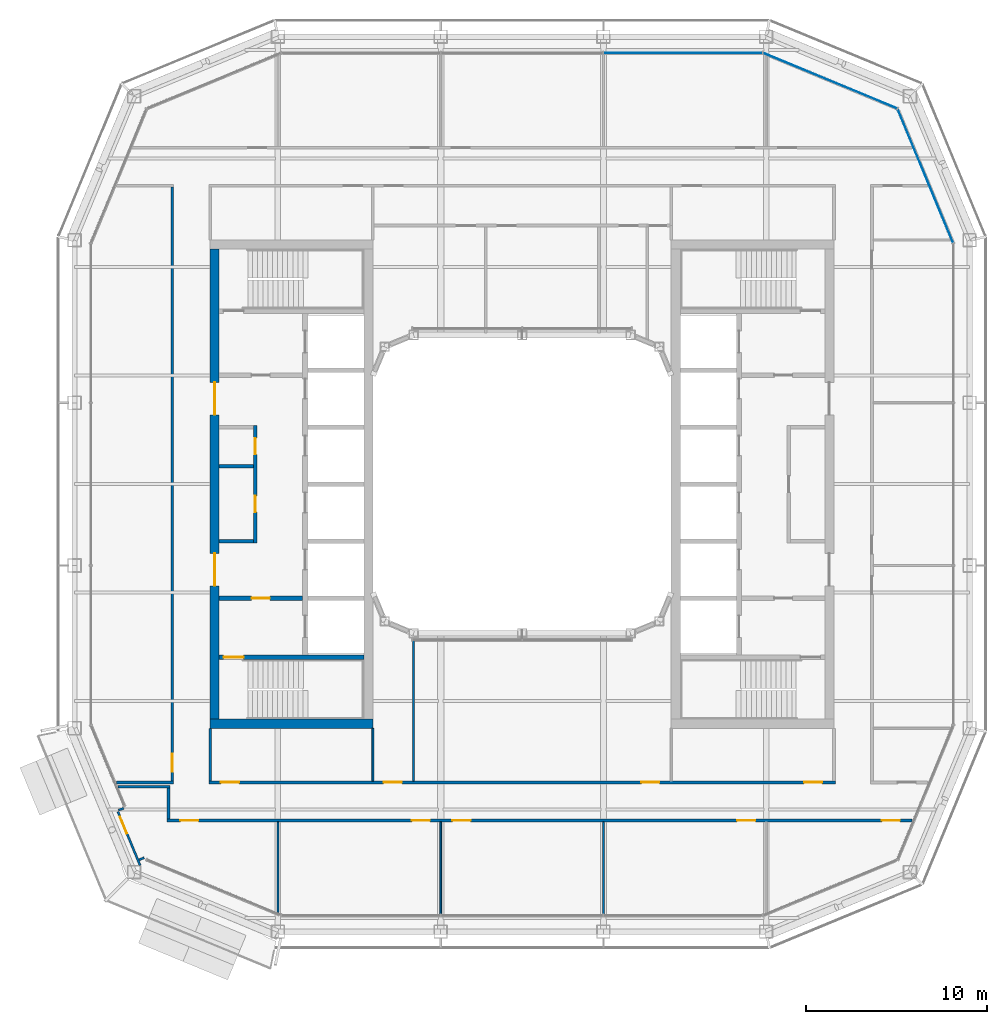
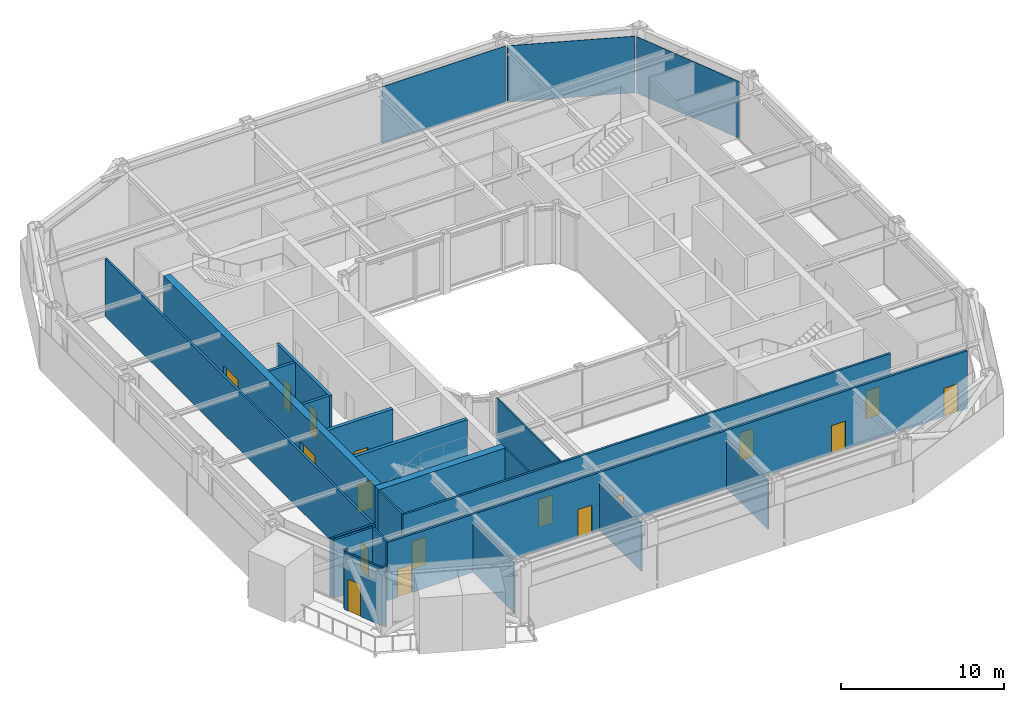
# One storey, part 10 of 20: 22 walls, 17 doors, 3 plates, 17 openings, 3 elements without a shape of their own.
"""IFC4 building model written with IfcOpenShell, lengths in metres."""

from ifc_helpers import new_model, si_unit, direction, frame, frame_2d, origin, origin_2d, place, context, subcontext, project, spatial, rectangle, extrude, material, layer, layer_set, type_object, element, fill, aggregate, save


model = new_model("IFC4")

# Units and contexts
model_context = context("Model", 3, precision=1e-05, world=origin(), true_north=direction((0.0, 1.0)))
body_context = subcontext(model_context, "Body", "Model", "MODEL_VIEW")
ifc_project = project(units=[si_unit("LENGTHUNIT", "METRE"), si_unit("AREAUNIT", "SQUARE_METRE"), si_unit("VOLUMEUNIT", "CUBIC_METRE"), si_unit("PLANEANGLEUNIT", "RADIAN"), si_unit("MASSUNIT", "GRAM", prefix="KILO")], contexts=[model_context])

# Site, building, storey
site_placement = place(None, origin())
site = spatial("IfcSite", under=ifc_project, at=site_placement, CompositionType="ELEMENT")
building_placement = place(site_placement, origin())
building = spatial("IfcBuilding", under=site, at=building_placement, Name="Siwar Civic Tower", CompositionType="ELEMENT")
storey_placement = place(building_placement, frame((0.0, 0.0, 298.699951171875)))
storey = spatial("IfcBuildingStorey", under=building, at=storey_placement, Name="L64", CompositionType="ELEMENT", Elevation=298.699951171875)

# Curtain wall, plate
ifc_material_1 = material(Name="Aluminium and glass", Category="aluminium")
ifc_layer_1 = layer(ifc_material_1, 0.159912109375)
ifc_layer_set_1 = layer_set([ifc_layer_1], Name="Aluminium and glass")
curtain_wall_type_1 = type_object("IfcCurtainWallType", Name="ENV-CW-D", PredefinedType="NOTDEFINED", material=ifc_layer_set_1)
curtain_wall_1_placement = place(storey_placement, origin())
curtain_wall_1 = element("IfcCurtainWall", 1, at=curtain_wall_1_placement, inside=storey, type_object=curtain_wall_type_1, Name="Curtain wall D N", PredefinedType="NOTDEFINED")
ifc_material_2 = material(Name="Glass clear laminated", Category="glass")
ifc_layer_2 = layer(ifc_material_2, 0.030029296875)
ifc_layer_set_2 = layer_set([ifc_layer_2], Name="Glass clear laminated")
plate_type_1 = type_object("IfcPlateType", Name="ENV-PANEL-D", PredefinedType="CURTAIN_PANEL", material=ifc_layer_set_2)
plate_1_placement = place(storey_placement, frame((8.910400390625, 23.85009765625, 0.10009765625), z_axis=(0.0, 0.0, 1.0), x_axis=(-1.0, 0.0, 0.0)))
plate_1 = element("IfcPlate", 2, at=plate_1_placement, type_object=plate_type_1, Name="Curtain panel D N 1", PredefinedType="CURTAIN_PANEL", context=body_context, shape_type="SweptSolid", body=[
    extrude(rectangle(XDim=8.760986328125, YDim=0.030029296875, at=origin_2d()), origin(), (0.0, 0.0, 1.0), 4.25),
])
aggregate(curtain_wall_1, [plate_1])

ifc_material_3 = material(Name="Aluminium clad insulated panel", Category="aluminium")
ifc_layer_3 = layer(ifc_material_3, 0.159912109375)
ifc_layer_set_3 = layer_set([ifc_layer_3], Name="Aluminium clad insulated panel")
curtain_wall_type_2 = type_object("IfcCurtainWallType", Name="ENV-CW-DX", PredefinedType="NOTDEFINED", material=ifc_layer_set_3)
curtain_wall_2_placement = place(storey_placement, origin())
curtain_wall_2 = element("IfcCurtainWall", 3, at=curtain_wall_2_placement, inside=storey, type_object=curtain_wall_type_2, Name="Curtain wall D NE1", PredefinedType="NOTDEFINED")
ifc_material_4 = material(Name="Aluminium clad insulated panel", Category="aluminium")
ifc_layer_4 = layer(ifc_material_4, 0.030029296875)
ifc_layer_set_4 = layer_set([ifc_layer_4], Name="Aluminium clad insulated panel")
plate_type_2 = type_object("IfcPlateType", Name="ENV-PANEL-DX", PredefinedType="CURTAIN_PANEL", material=ifc_layer_set_4)
plate_2_placement = place(storey_placement, frame((22.321044921875, 17.01220703125, 0.10009765625), z_axis=(0.0, 0.0, 1.0), x_axis=(-0.382683432365, 0.923879532511, 0.0)))
plate_2 = element("IfcPlate", 4, at=plate_2_placement, type_object=plate_type_2, Name="Curtain panel D NE1 1", PredefinedType="CURTAIN_PANEL", context=body_context, shape_type="SweptSolid", body=[
    extrude(rectangle(XDim=7.9306640625, YDim=0.030029296875, at=origin_2d()), origin(), (0.0, 0.0, 1.0), 4.25),
])
aggregate(curtain_wall_2, [plate_2])

curtain_wall_3_placement = place(storey_placement, origin())
curtain_wall_3 = element("IfcCurtainWall", 5, at=curtain_wall_3_placement, inside=storey, type_object=curtain_wall_type_2, Name="Curtain wall D NE2", PredefinedType="NOTDEFINED")
plate_3_placement = place(storey_placement, frame((17.074951171875, 22.295166015625, 0.10009765625), z_axis=(0.0, 0.0, 1.0), x_axis=(-0.923879532511, 0.382683432365, 0.0)))
plate_3 = element("IfcPlate", 6, at=plate_3_placement, type_object=plate_type_2, Name="Curtain panel D NE2 1", PredefinedType="CURTAIN_PANEL", context=body_context, shape_type="SweptSolid", body=[
    extrude(rectangle(XDim=7.9306640625, YDim=0.030029296875, at=origin_2d()), origin(), (0.0, 0.0, 1.0), 4.25),
])
aggregate(curtain_wall_3, [plate_3])

# Wall, openings, doors
ifc_material_5 = material(Name="Gypsum board on steel studs", Category="steel")
ifc_layer_5 = layer(ifc_material_5, 0.199951171875)
ifc_layer_set_5 = layer_set([ifc_layer_5], Name="Gypsum board on steel studs")
wall_type_1 = type_object("IfcWallType", Name="CORE-PARTITION-200", PredefinedType="PARTITIONING", material=ifc_layer_set_5)
wall_1_placement = place(storey_placement, frame((-14.75, -3.25, 0.0), z_axis=(0.0, 0.0, 1.0), x_axis=(0.0, 1.0, 0.0)))
wall_1 = element("IfcWall", 7, at=wall_1_placement, inside=storey, type_object=wall_type_1, Name="Core partition W", PredefinedType="PARTITIONING", context=body_context, shape_type="SweptSolid", body=[
    extrude(rectangle(XDim=6.5, YDim=0.199951171875, at=frame_2d((3.25, 0.0))), origin(), (0.0, 0.0, 1.0), 4.35009765625),
])
opening_1_placement = place(wall_1_placement, frame((1.699951171875, 0.0, 0.0)))
opening_1 = element("IfcOpeningElement", 8, at=opening_1_placement, cuts=wall_1, Name="Opening L64-CW13", PredefinedType="OPENING", context=body_context, shape_type="SweptSolid", body=[
    extrude(rectangle(XDim=0.89990234375, YDim=2.10009765625, at=frame_2d((0.449951171875, 1.050048828125))), frame((0.0, 0.10986328125, 0.0), z_axis=(0.0, -1.0, 0.0), x_axis=(1.0, 0.0, 0.0)), (0.0, 0.0, 1.0), 0.219970703125),
])
opening_2_placement = place(wall_1_placement, frame((4.89990234375, 0.0, 0.0)))
opening_2 = element("IfcOpeningElement", 9, at=opening_2_placement, cuts=wall_1, Name="Opening L64-CW14", PredefinedType="OPENING", context=body_context, shape_type="SweptSolid", body=[
    extrude(rectangle(XDim=0.89990234375, YDim=2.10009765625, at=frame_2d((0.449951171875, 1.050048828125))), frame((0.0, 0.10986328125, 0.0), z_axis=(0.0, -1.0, 0.0), x_axis=(1.0, 0.0, 0.0)), (0.0, 0.0, 1.0), 0.219970703125),
])
ifc_material_6 = material(Name="Steel door leaf", Category="steel")
door_type_1 = type_object("IfcDoorType", Name="CORE-DOOR-ROOM", OperationType="SINGLE_SWING_LEFT", PredefinedType="DOOR", material=ifc_material_6)
door_1_placement = place(opening_1_placement, origin())
door_1 = element("IfcDoor", 10, at=door_1_placement, inside=storey, type_object=door_type_1, Name="Core room door L64-CW13", OperationType="SINGLE_SWING_RIGHT", OverallHeight=2.10009765625, OverallWidth=0.89990234375, PredefinedType="DOOR", context=body_context, shape_type="SweptSolid", body=[
    extrude(rectangle(XDim=0.89990234375, YDim=2.10009765625, at=frame_2d((0.449951171875, 1.050048828125))), frame((0.0, 0.02490234375, 0.0), z_axis=(0.0, -1.0, 0.0), x_axis=(1.0, 0.0, 0.0)), (0.0, 0.0, 1.0), 0.050048828125),
])
fill(opening_1, door_1)
door_2_placement = place(opening_2_placement, origin())
door_2 = element("IfcDoor", 11, at=door_2_placement, inside=storey, type_object=door_type_1, Name="Core room door L64-CW14", OperationType="SINGLE_SWING_LEFT", OverallHeight=2.10009765625, OverallWidth=0.89990234375, PredefinedType="DOOR", context=body_context, shape_type="SweptSolid", body=[
    extrude(rectangle(XDim=0.89990234375, YDim=2.10009765625, at=frame_2d((0.449951171875, 1.050048828125))), frame((0.0, 0.02490234375, 0.0), z_axis=(0.0, -1.0, 0.0), x_axis=(1.0, 0.0, 0.0)), (0.0, 0.0, 1.0), 0.050048828125),
])
fill(opening_2, door_2)

# Walls
for number, where, z_axis, x_axis, name in (
    (12, (-14.85009765625, -3.14990234375, 0.0), (0.0, 0.0, 1.0), (-1.0, 0.0, 0.0), "Core partition W"),
    (13, (-14.85009765625, 1.0, 0.0), (0.0, 0.0, 1.0), (-1.0, 0.0, 0.0), "Core partition W"),
):
    element("IfcWall", number, at=place(storey_placement, frame(where, z_axis=z_axis, x_axis=x_axis)), inside=storey, type_object=wall_type_1, Name=name, PredefinedType="PARTITIONING", context=body_context, shape_type="SweptSolid", body=[
        extrude(rectangle(XDim=1.89990234375, YDim=0.199951171875, at=frame_2d((0.949951171875, 0.0))), origin(), (0.0, 0.0, 1.0), 4.35009765625),
    ])

# Wall, opening, door
ifc_material_7 = material(Name="Concrete C60/75", Category="concrete")
ifc_layer_6 = layer(ifc_material_7, 0.25)
ifc_layer_set_6 = layer_set([ifc_layer_6], Name="Concrete C60/75")
wall_type_2 = type_object("IfcWallType", Name="CORE-WALL-RC250", PredefinedType="SHEAR", material=ifc_layer_set_6)
wall_2_placement = place(storey_placement, frame((-12.14990234375, -6.300048828125, 0.0), z_axis=(0.0, 0.0, 1.0), x_axis=(-1.0, 0.0, 0.0)))
wall_2 = element("IfcWall", 14, at=wall_2_placement, inside=storey, type_object=wall_type_2, Name="Core wall W", PredefinedType="SHEAR", context=body_context, shape_type="SweptSolid", body=[
    extrude(rectangle(XDim=4.60009765625, YDim=0.25, at=frame_2d((2.300048828125, 0.0))), origin(), (0.0, 0.0, 1.0), 4.35009765625),
])
opening_3_placement = place(wall_2_placement, frame((1.800048828125, 0.0, 0.0)))
opening_3 = element("IfcOpeningElement", 15, at=opening_3_placement, cuts=wall_2, Name="Opening L64-CW02", PredefinedType="OPENING", context=body_context, shape_type="SweptSolid", body=[
    extrude(rectangle(XDim=1.0, YDim=2.10009765625, at=frame_2d((0.5, 1.050048828125))), frame((0.0, 0.135009765625, 0.0), z_axis=(0.0, -1.0, 0.0), x_axis=(1.0, 0.0, 0.0)), (0.0, 0.0, 1.0), 0.27001953125),
])
ifc_material_8 = material(Name="Steel door leaf", Category="steel")
door_type_2 = type_object("IfcDoorType", Name="CORE-DOOR-FD30S", OperationType="SINGLE_SWING_LEFT", PredefinedType="DOOR", material=ifc_material_8)
door_3_placement = place(opening_3_placement, origin())
door_3 = element("IfcDoor", 16, at=door_3_placement, inside=storey, type_object=door_type_2, Name="Service lobby door L64-CW02", OperationType="SINGLE_SWING_RIGHT", OverallHeight=2.10009765625, OverallWidth=1.0, PredefinedType="DOOR", context=body_context, shape_type="SweptSolid", body=[
    extrude(rectangle(XDim=1.0, YDim=2.10009765625, at=frame_2d((0.5, 1.050048828125))), frame((0.0, 0.02490234375, 0.0), z_axis=(0.0, -1.0, 0.0), x_axis=(1.0, 0.0, 0.0)), (0.0, 0.0, 1.0), 0.050048828125),
])
fill(opening_3, door_3)

wall_3_placement = place(storey_placement, frame((-8.75, -9.574951171875, 0.0), z_axis=(0.0, 0.0, 1.0), x_axis=(-1.0, 0.0, 0.0)))
wall_3 = element("IfcWall", 17, at=wall_3_placement, inside=storey, type_object=wall_type_2, Name="Core wall W", PredefinedType="SHEAR", context=body_context, shape_type="SweptSolid", body=[
    extrude(rectangle(XDim=8.0, YDim=0.25, at=frame_2d((4.0, 0.0))), origin(), (0.0, 0.0, 1.0), 4.35009765625),
])
opening_4_placement = place(wall_3_placement, frame((6.64990234375, 0.0, 0.0)))
opening_4 = element("IfcOpeningElement", 18, at=opening_4_placement, cuts=wall_3, Name="Opening L64-CW04", PredefinedType="OPENING", context=body_context, shape_type="SweptSolid", body=[
    extrude(rectangle(XDim=1.10009765625, YDim=2.10009765625, at=frame_2d((0.550048828125, 1.050048828125))), frame((0.0, 0.135009765625, 0.0), z_axis=(0.0, -1.0, 0.0), x_axis=(1.0, 0.0, 0.0)), (0.0, 0.0, 1.0), 0.27001953125),
])
ifc_material_9 = material(Name="Steel door leaf", Category="steel")
door_type_3 = type_object("IfcDoorType", Name="CORE-DOOR-FD60S", OperationType="SINGLE_SWING_LEFT", PredefinedType="DOOR", material=ifc_material_9)
door_4_placement = place(opening_4_placement, origin())
door_4 = element("IfcDoor", 19, at=door_4_placement, inside=storey, type_object=door_type_3, Name="Stair door L64-CW04", OperationType="SINGLE_SWING_LEFT", OverallHeight=2.10009765625, OverallWidth=1.10009765625, PredefinedType="DOOR", context=body_context, shape_type="SweptSolid", body=[
    extrude(rectangle(XDim=1.10009765625, YDim=2.10009765625, at=frame_2d((0.550048828125, 1.050048828125))), frame((0.0, 0.02490234375, 0.0), z_axis=(0.0, -1.0, 0.0), x_axis=(1.0, 0.0, 0.0)), (0.0, 0.0, 1.0), 0.050048828125),
])
fill(opening_4, door_4)

# Wall, openings, doors
ifc_material_10 = material(Name="Concrete C60/75", Category="concrete")
ifc_layer_7 = layer(ifc_material_10, 0.5)
ifc_layer_set_7 = layer_set([ifc_layer_7], Name="Concrete C60/75")
wall_type_3 = type_object("IfcWallType", Name="CORE-WALL-RC500", PredefinedType="SHEAR", material=ifc_layer_set_7)
wall_4_placement = place(storey_placement, frame((-17.0, -13.0, 0.0), z_axis=(0.0, 0.0, 1.0), x_axis=(0.0, 1.0, 0.0)))
wall_4 = element("IfcWall", 20, at=wall_4_placement, inside=storey, type_object=wall_type_3, Name="Core wall W", PredefinedType="SHEAR", context=body_context, shape_type="SweptSolid", body=[
    extrude(rectangle(XDim=26.0, YDim=0.5, at=frame_2d((13.0, 0.0))), origin(), (0.0, 0.0, 1.0), 4.35009765625),
])
opening_5_placement = place(wall_4_placement, frame((16.824951171875, 0.0, 0.0)))
opening_5 = element("IfcOpeningElement", 21, at=opening_5_placement, cuts=wall_4, Name="Opening L64-CW05", PredefinedType="OPENING", context=body_context, shape_type="SweptSolid", body=[
    extrude(rectangle(XDim=1.800048828125, YDim=2.10009765625, at=frame_2d((0.89990234375, 1.050048828125))), frame((0.0, 0.260009765625, 0.0), z_axis=(0.0, -1.0, 0.0), x_axis=(1.0, 0.0, 0.0)), (0.0, 0.0, 1.0), 0.52001953125),
])
opening_6_placement = place(wall_4_placement, frame((7.375, 0.0, 0.0)))
opening_6 = element("IfcOpeningElement", 22, at=opening_6_placement, cuts=wall_4, Name="Opening L64-CW06", PredefinedType="OPENING", context=body_context, shape_type="SweptSolid", body=[
    extrude(rectangle(XDim=1.800048828125, YDim=2.10009765625, at=frame_2d((0.89990234375, 1.050048828125))), frame((0.0, 0.260009765625, 0.0), z_axis=(0.0, -1.0, 0.0), x_axis=(1.0, 0.0, 0.0)), (0.0, 0.0, 1.0), 0.52001953125),
])
ifc_material_11 = material(Name="Steel door leaf", Category="steel")
door_type_4 = type_object("IfcDoorType", Name="CORE-DOOR-PORT", OperationType="DOUBLE_DOOR_DOUBLE_SWING", PredefinedType="DOOR", material=ifc_material_11)
door_5_placement = place(opening_5_placement, origin())
door_5 = element("IfcDoor", 23, at=door_5_placement, inside=storey, type_object=door_type_4, Name="Core entrance door L64-CW05", OperationType="DOUBLE_DOOR_DOUBLE_SWING", OverallHeight=2.10009765625, OverallWidth=1.800048828125, PredefinedType="DOOR", context=body_context, shape_type="SweptSolid", body=[
    extrude(rectangle(XDim=1.800048828125, YDim=2.10009765625, at=frame_2d((0.89990234375, 1.050048828125))), frame((0.0, 0.02490234375, 0.0), z_axis=(0.0, -1.0, 0.0), x_axis=(1.0, 0.0, 0.0)), (0.0, 0.0, 1.0), 0.050048828125),
])
fill(opening_5, door_5)
door_6_placement = place(opening_6_placement, origin())
door_6 = element("IfcDoor", 24, at=door_6_placement, inside=storey, type_object=door_type_4, Name="Core entrance door L64-CW06", OperationType="DOUBLE_DOOR_DOUBLE_SWING", OverallHeight=2.10009765625, OverallWidth=1.800048828125, PredefinedType="DOOR", context=body_context, shape_type="SweptSolid", body=[
    extrude(rectangle(XDim=1.800048828125, YDim=2.10009765625, at=frame_2d((0.89990234375, 1.050048828125))), frame((0.0, 0.02490234375, 0.0), z_axis=(0.0, -1.0, 0.0), x_axis=(1.0, 0.0, 0.0)), (0.0, 0.0, 1.0), 0.050048828125),
])
fill(opening_6, door_6)

# Wall
wall_5_placement = place(storey_placement, frame((-8.25, -13.25, 0.0), z_axis=(0.0, 0.0, 1.0), x_axis=(-1.0, 0.0, 0.0)))
element("IfcWall", 25, at=wall_5_placement, inside=storey, type_object=wall_type_3, Name="Core wall W", PredefinedType="SHEAR", context=body_context, shape_type="SweptSolid", body=[
    extrude(rectangle(XDim=9.0, YDim=0.5, at=frame_2d((4.5, 0.0))), origin(), (0.0, 0.0, 1.0), 4.35009765625),
])

# Wall, openings, doors
ifc_material_12 = material(Name="Gypsum board on steel studs", Category="steel")
ifc_layer_8 = layer(ifc_material_12, 0.14990234375)
ifc_layer_set_8 = layer_set([ifc_layer_8], Name="Gypsum board on steel studs")
wall_type_4 = type_object("IfcWallType", Name="CORRIDOR PARTITION 150 EI 30", PredefinedType="PARTITIONING", material=ifc_layer_set_8)
wall_6_placement = place(storey_placement, frame((-19.6279296875, -18.60009765625, 0.0), z_axis=(0.0, 0.0, 1.0), x_axis=(1.0, 0.0, 0.0)))
wall_6 = element("IfcWall", 26, at=wall_6_placement, inside=storey, type_object=wall_type_4, Name="L64/wall/P01", PredefinedType="PARTITIONING", context=body_context, shape_type="SweptSolid", body=[
    extrude(rectangle(XDim=41.19384765625, YDim=0.14990234375, at=frame_2d((20.596923828125, 0.0))), origin(), (0.0, 0.0, 1.0), 4.35009765625),
])
opening_7_placement = place(wall_6_placement, frame((13.528076171875, 0.0, 0.0)))
opening_7 = element("IfcOpeningElement", 27, at=opening_7_placement, cuts=wall_6, Name="Opening D1", PredefinedType="OPENING", context=body_context, shape_type="SweptSolid", body=[
    extrude(rectangle(XDim=1.0, YDim=2.10009765625, at=frame_2d((0.5, 1.050048828125))), frame((0.0, 0.0849609375, 0.0), z_axis=(0.0, -1.0, 0.0), x_axis=(1.0, 0.0, 0.0)), (0.0, 0.0, 1.0), 0.169921875),
])
opening_8_placement = place(wall_6_placement, frame((15.778076171875, 0.0, 0.0)))
opening_8 = element("IfcOpeningElement", 28, at=opening_8_placement, cuts=wall_6, Name="Opening D1", PredefinedType="OPENING", context=body_context, shape_type="SweptSolid", body=[
    extrude(rectangle(XDim=1.0, YDim=2.10009765625, at=frame_2d((0.5, 1.050048828125))), frame((0.0, 0.0849609375, 0.0), z_axis=(0.0, -1.0, 0.0), x_axis=(1.0, 0.0, 0.0)), (0.0, 0.0, 1.0), 0.169921875),
])
opening_9_placement = place(wall_6_placement, frame((31.528076171875, 0.0, 0.0)))
opening_9 = element("IfcOpeningElement", 29, at=opening_9_placement, cuts=wall_6, Name="Opening D1", PredefinedType="OPENING", context=body_context, shape_type="SweptSolid", body=[
    extrude(rectangle(XDim=1.0, YDim=2.10009765625, at=frame_2d((0.5, 1.050048828125))), frame((0.0, 0.0849609375, 0.0), z_axis=(0.0, -1.0, 0.0), x_axis=(1.0, 0.0, 0.0)), (0.0, 0.0, 1.0), 0.169921875),
])
opening_10_placement = place(wall_6_placement, frame((0.72509765625, 0.0, 0.0)))
opening_10 = element("IfcOpeningElement", 30, at=opening_10_placement, cuts=wall_6, Name="Opening D1", PredefinedType="OPENING", context=body_context, shape_type="SweptSolid", body=[
    extrude(rectangle(XDim=1.0, YDim=2.10009765625, at=frame_2d((0.5, 1.050048828125))), frame((0.0, 0.0849609375, 0.0), z_axis=(0.0, -1.0, 0.0), x_axis=(1.0, 0.0, 0.0)), (0.0, 0.0, 1.0), 0.169921875),
])
opening_11_placement = place(wall_6_placement, frame((39.528076171875, 0.0, 0.0)))
opening_11 = element("IfcOpeningElement", 31, at=opening_11_placement, cuts=wall_6, Name="Opening D1", PredefinedType="OPENING", context=body_context, shape_type="SweptSolid", body=[
    extrude(rectangle(XDim=1.0, YDim=2.10009765625, at=frame_2d((0.5, 1.050048828125))), frame((0.0, 0.0849609375, 0.0), z_axis=(0.0, -1.0, 0.0), x_axis=(1.0, 0.0, 0.0)), (0.0, 0.0, 1.0), 0.169921875),
])
ifc_material_13 = material(Name="Timber, painted", Category="wood")
door_type_5 = type_object("IfcDoorType", Name="DOOR 1000 X 2100 FD30", OperationType="SINGLE_SWING_LEFT", PredefinedType="DOOR", material=ifc_material_13)
door_7_placement = place(opening_7_placement, origin())
door_7 = element("IfcDoor", 32, at=door_7_placement, inside=storey, type_object=door_type_5, Name="L64-D04", OperationType="SINGLE_SWING_RIGHT", OverallHeight=2.10009765625, OverallWidth=1.0, PredefinedType="DOOR", context=body_context, shape_type="SweptSolid", body=[
    extrude(rectangle(XDim=1.0, YDim=2.10009765625, at=frame_2d((0.5, 1.050048828125))), frame((0.0, 0.02490234375, 0.0), z_axis=(0.0, -1.0, 0.0), x_axis=(1.0, 0.0, 0.0)), (0.0, 0.0, 1.0), 0.050048828125),
])
fill(opening_7, door_7)
door_8_placement = place(opening_8_placement, origin())
door_8 = element("IfcDoor", 33, at=door_8_placement, inside=storey, type_object=door_type_5, Name="L64-D05", OperationType="SINGLE_SWING_LEFT", OverallHeight=2.10009765625, OverallWidth=1.0, PredefinedType="DOOR", context=body_context, shape_type="SweptSolid", body=[
    extrude(rectangle(XDim=1.0, YDim=2.10009765625, at=frame_2d((0.5, 1.050048828125))), frame((0.0, 0.02490234375, 0.0), z_axis=(0.0, -1.0, 0.0), x_axis=(1.0, 0.0, 0.0)), (0.0, 0.0, 1.0), 0.050048828125),
])
fill(opening_8, door_8)
door_9_placement = place(opening_9_placement, origin())
door_9 = element("IfcDoor", 34, at=door_9_placement, inside=storey, type_object=door_type_5, Name="L64-D06", OperationType="SINGLE_SWING_RIGHT", OverallHeight=2.10009765625, OverallWidth=1.0, PredefinedType="DOOR", context=body_context, shape_type="SweptSolid", body=[
    extrude(rectangle(XDim=1.0, YDim=2.10009765625, at=frame_2d((0.5, 1.050048828125))), frame((0.0, 0.02490234375, 0.0), z_axis=(0.0, -1.0, 0.0), x_axis=(1.0, 0.0, 0.0)), (0.0, 0.0, 1.0), 0.050048828125),
])
fill(opening_9, door_9)
door_10_placement = place(opening_10_placement, origin())
door_10 = element("IfcDoor", 35, at=door_10_placement, inside=storey, type_object=door_type_5, Name="L64-D09", OperationType="SINGLE_SWING_LEFT", OverallHeight=2.10009765625, OverallWidth=1.0, PredefinedType="DOOR", context=body_context, shape_type="SweptSolid", body=[
    extrude(rectangle(XDim=1.0, YDim=2.10009765625, at=frame_2d((0.5, 1.050048828125))), frame((0.0, 0.02490234375, 0.0), z_axis=(0.0, -1.0, 0.0), x_axis=(1.0, 0.0, 0.0)), (0.0, 0.0, 1.0), 0.050048828125),
])
fill(opening_10, door_10)
door_11_placement = place(opening_11_placement, origin())
door_11 = element("IfcDoor", 36, at=door_11_placement, inside=storey, type_object=door_type_5, Name="L64-D10", OperationType="SINGLE_SWING_RIGHT", OverallHeight=2.10009765625, OverallWidth=1.0, PredefinedType="DOOR", context=body_context, shape_type="SweptSolid", body=[
    extrude(rectangle(XDim=1.0, YDim=2.10009765625, at=frame_2d((0.5, 1.050048828125))), frame((0.0, 0.02490234375, 0.0), z_axis=(0.0, -1.0, 0.0), x_axis=(1.0, 0.0, 0.0)), (0.0, 0.0, 1.0), 0.050048828125),
])
fill(opening_11, door_11)

# Walls
wall_7_placement = place(storey_placement, frame((-22.339111328125, -16.73388671875, 0.0), z_axis=(0.0, 0.0, 1.0), x_axis=(1.0, 0.0, 0.0)))
element("IfcWall", 37, at=wall_7_placement, inside=storey, type_object=wall_type_4, Name="L64/wall/P02", PredefinedType="PARTITIONING", context=body_context, shape_type="SweptSolid", body=[
    extrude(rectangle(XDim=2.861083984375, YDim=0.14990234375, at=frame_2d((1.4306640625, 0.0))), origin(), (0.0, 0.0, 1.0), 4.35009765625),
])
wall_8_placement = place(storey_placement, frame((-22.43603515625, -16.4951171875, 0.0), z_axis=(0.0, 0.0, 1.0), x_axis=(1.0, 0.0, 0.0)))
element("IfcWall", 38, at=wall_8_placement, inside=storey, type_object=wall_type_4, Name="L64/wall/P03", PredefinedType="PARTITIONING", context=body_context, shape_type="SweptSolid", body=[
    extrude(rectangle(XDim=3.1611328125, YDim=0.14990234375, at=frame_2d((1.58056640625, 0.0))), origin(), (0.0, 0.0, 1.0), 4.35009765625),
])

# Wall, openings, doors
wall_9_placement = place(storey_placement, frame((-17.324951171875, -16.4951171875, 0.0), z_axis=(0.0, 0.0, 1.0), x_axis=(1.0, 0.0, 0.0)))
wall_9 = element("IfcWall", 39, at=wall_9_placement, inside=storey, type_object=wall_type_4, Name="L64/wall/P04", PredefinedType="PARTITIONING", context=body_context, shape_type="SweptSolid", body=[
    extrude(rectangle(XDim=34.64990234375, YDim=0.14990234375, at=frame_2d((17.324951171875, 0.0))), origin(), (0.0, 0.0, 1.0), 4.35009765625),
])
opening_12_placement = place(wall_9_placement, frame((9.675048828125, 0.0, 0.0)))
opening_12 = element("IfcOpeningElement", 40, at=opening_12_placement, cuts=wall_9, Name="Opening D3", PredefinedType="OPENING", context=body_context, shape_type="SweptSolid", body=[
    extrude(rectangle(XDim=1.0, YDim=2.10009765625, at=frame_2d((0.5, 1.050048828125))), frame((0.0, 0.0849609375, 0.0), z_axis=(0.0, -1.0, 0.0), x_axis=(1.0, 0.0, 0.0)), (0.0, 0.0, 1.0), 0.169921875),
])
opening_13_placement = place(wall_9_placement, frame((23.925048828125, 0.0, 0.0)))
opening_13 = element("IfcOpeningElement", 41, at=opening_13_placement, cuts=wall_9, Name="Opening D1", PredefinedType="OPENING", context=body_context, shape_type="SweptSolid", body=[
    extrude(rectangle(XDim=1.0, YDim=2.10009765625, at=frame_2d((0.5, 1.050048828125))), frame((0.0, 0.0849609375, 0.0), z_axis=(0.0, -1.0, 0.0), x_axis=(1.0, 0.0, 0.0)), (0.0, 0.0, 1.0), 0.169921875),
])
opening_14_placement = place(wall_9_placement, frame((0.675048828125, 0.0, 0.0)))
opening_14 = element("IfcOpeningElement", 42, at=opening_14_placement, cuts=wall_9, Name="Opening D1", PredefinedType="OPENING", context=body_context, shape_type="SweptSolid", body=[
    extrude(rectangle(XDim=1.0, YDim=2.10009765625, at=frame_2d((0.5, 1.050048828125))), frame((0.0, 0.0849609375, 0.0), z_axis=(0.0, -1.0, 0.0), x_axis=(1.0, 0.0, 0.0)), (0.0, 0.0, 1.0), 0.169921875),
])
opening_15_placement = place(wall_9_placement, frame((32.925048828125, 0.0, 0.0)))
opening_15 = element("IfcOpeningElement", 43, at=opening_15_placement, cuts=wall_9, Name="Opening D1", PredefinedType="OPENING", context=body_context, shape_type="SweptSolid", body=[
    extrude(rectangle(XDim=1.0, YDim=2.10009765625, at=frame_2d((0.5, 1.050048828125))), frame((0.0, 0.0849609375, 0.0), z_axis=(0.0, -1.0, 0.0), x_axis=(1.0, 0.0, 0.0)), (0.0, 0.0, 1.0), 0.169921875),
])
door_12_placement = place(opening_13_placement, origin())
door_12 = element("IfcDoor", 44, at=door_12_placement, inside=storey, type_object=door_type_5, Name="L64-D17", OperationType="SINGLE_SWING_LEFT", OverallHeight=2.10009765625, OverallWidth=1.0, PredefinedType="DOOR", context=body_context, shape_type="SweptSolid", body=[
    extrude(rectangle(XDim=1.0, YDim=2.10009765625, at=frame_2d((0.5, 1.050048828125))), frame((0.0, 0.02490234375, 0.0), z_axis=(0.0, -1.0, 0.0), x_axis=(1.0, 0.0, 0.0)), (0.0, 0.0, 1.0), 0.050048828125),
])
fill(opening_13, door_12)
door_13_placement = place(opening_14_placement, origin())
door_13 = element("IfcDoor", 45, at=door_13_placement, inside=storey, type_object=door_type_5, Name="L64-D20", OperationType="SINGLE_SWING_RIGHT", OverallHeight=2.10009765625, OverallWidth=1.0, PredefinedType="DOOR", context=body_context, shape_type="SweptSolid", body=[
    extrude(rectangle(XDim=1.0, YDim=2.10009765625, at=frame_2d((0.5, 1.050048828125))), frame((0.0, 0.02490234375, 0.0), z_axis=(0.0, -1.0, 0.0), x_axis=(1.0, 0.0, 0.0)), (0.0, 0.0, 1.0), 0.050048828125),
])
fill(opening_14, door_13)
door_14_placement = place(opening_15_placement, origin())
door_14 = element("IfcDoor", 46, at=door_14_placement, inside=storey, type_object=door_type_5, Name="L64-D21", OperationType="SINGLE_SWING_LEFT", OverallHeight=2.10009765625, OverallWidth=1.0, PredefinedType="DOOR", context=body_context, shape_type="SweptSolid", body=[
    extrude(rectangle(XDim=1.0, YDim=2.10009765625, at=frame_2d((0.5, 1.050048828125))), frame((0.0, 0.02490234375, 0.0), z_axis=(0.0, -1.0, 0.0), x_axis=(1.0, 0.0, 0.0)), (0.0, 0.0, 1.0), 0.050048828125),
])
fill(opening_15, door_14)
ifc_material_14 = material(Name="Timber, painted", Category="wood")
door_type_6 = type_object("IfcDoorType", Name="DOOR 1000 X 2100 WC", OperationType="SINGLE_SWING_LEFT", PredefinedType="DOOR", material=ifc_material_14)
door_15_placement = place(opening_12_placement, origin())
door_15 = element("IfcDoor", 47, at=door_15_placement, inside=storey, type_object=door_type_6, Name="L64-D16", OperationType="SINGLE_SWING_RIGHT", OverallHeight=2.10009765625, OverallWidth=1.0, PredefinedType="DOOR", context=body_context, shape_type="SweptSolid", body=[
    extrude(rectangle(XDim=1.0, YDim=2.10009765625, at=frame_2d((0.5, 1.050048828125))), frame((0.0, 0.02490234375, 0.0), z_axis=(0.0, -1.0, 0.0), x_axis=(1.0, 0.0, 0.0)), (0.0, 0.0, 1.0), 0.050048828125),
])
fill(opening_12, door_15)

# Wall
wall_10_placement = place(storey_placement, frame((-19.552978515625, -18.52490234375, 0.0), z_axis=(0.0, 0.0, 1.0), x_axis=(0.0, 1.0, 0.0)))
element("IfcWall", 48, at=wall_10_placement, inside=storey, type_object=wall_type_4, Name="L64/wall/P16", PredefinedType="PARTITIONING", context=body_context, shape_type="SweptSolid", body=[
    extrude(rectangle(XDim=1.7158203125, YDim=0.14990234375, at=frame_2d((0.85791015625, 0.0))), origin(), (0.0, 0.0, 1.0), 4.35009765625),
])

# Wall, opening, door
wall_11_placement = place(storey_placement, frame((-19.35009765625, -16.419921875, 0.0), z_axis=(0.0, 0.0, 1.0), x_axis=(0.0, 1.0, 0.0)))
wall_11 = element("IfcWall", 49, at=wall_11_placement, inside=storey, type_object=wall_type_4, Name="L64/wall/P17", PredefinedType="PARTITIONING", context=body_context, shape_type="SweptSolid", body=[
    extrude(rectangle(XDim=32.844970703125, YDim=0.14990234375, at=frame_2d((16.42236328125, 0.0))), origin(), (0.0, 0.0, 1.0), 4.35009765625),
])
opening_16_placement = place(wall_11_placement, frame((0.52001953125, 0.0, 0.0)))
opening_16 = element("IfcOpeningElement", 50, at=opening_16_placement, cuts=wall_11, Name="Opening D1", PredefinedType="OPENING", context=body_context, shape_type="SweptSolid", body=[
    extrude(rectangle(XDim=1.0, YDim=2.10009765625, at=frame_2d((0.5, 1.050048828125))), frame((0.0, 0.0849609375, 0.0), z_axis=(0.0, -1.0, 0.0), x_axis=(1.0, 0.0, 0.0)), (0.0, 0.0, 1.0), 0.169921875),
])
door_16_placement = place(opening_16_placement, origin())
door_16 = element("IfcDoor", 51, at=door_16_placement, inside=storey, type_object=door_type_5, Name="L64-D22", OperationType="SINGLE_SWING_RIGHT", OverallHeight=2.10009765625, OverallWidth=1.0, PredefinedType="DOOR", context=body_context, shape_type="SweptSolid", body=[
    extrude(rectangle(XDim=1.0, YDim=2.10009765625, at=frame_2d((0.5, 1.050048828125))), frame((0.0, 0.02490234375, 0.0), z_axis=(0.0, -1.0, 0.0), x_axis=(1.0, 0.0, 0.0)), (0.0, 0.0, 1.0), 0.050048828125),
])
fill(opening_16, door_16)

# Walls
wall_12_placement = place(storey_placement, frame((-17.25, -16.419921875, 0.0), z_axis=(0.0, 0.0, 1.0), x_axis=(0.0, 1.0, 0.0)))
element("IfcWall", 52, at=wall_12_placement, inside=storey, type_object=wall_type_4, Name="L64/wall/P18", PredefinedType="PARTITIONING", context=body_context, shape_type="SweptSolid", body=[
    extrude(rectangle(XDim=2.919921875, YDim=0.14990234375, at=frame_2d((1.4599609375, 0.0))), origin(), (0.0, 0.0, 1.0), 4.35009765625),
])
ifc_material_15 = material(Name="Aluminium clad insulated panel", Category="aluminium")
ifc_layer_9 = layer(ifc_material_15, 0.1201171875)
ifc_layer_set_9 = layer_set([ifc_layer_9], Name="Aluminium clad insulated panel")
wall_type_5 = type_object("IfcWallType", Name="ENV-WALL-BAL", PredefinedType="STANDARD", material=ifc_layer_set_9)
wall_13_placement = place(storey_placement, frame((-22.03271484375, -17.91748046875, 0.0), z_axis=(0.0, 0.0, 1.0), x_axis=(-0.923844027884, -0.382769136873, 0.0)))
element("IfcWall", 53, at=wall_13_placement, inside=storey, type_object=wall_type_5, Name="Balcony door wall return SW1", PredefinedType="STANDARD", context=body_context, shape_type="SweptSolid", body=[
    extrude(rectangle(XDim=0.31005859375, YDim=0.1201171875, at=frame_2d((0.155029296875, 0.0))), origin(), (0.0, 0.0, 1.0), 4.35009765625),
])
wall_14_placement = place(storey_placement, frame((-20.896484375, -20.66015625, 0.0), z_axis=(0.0, 0.0, 1.0), x_axis=(-0.923959293734, -0.382490814953, 0.0)))
element("IfcWall", 54, at=wall_14_placement, inside=storey, type_object=wall_type_5, Name="Balcony door wall return SW1", PredefinedType="STANDARD", context=body_context, shape_type="SweptSolid", body=[
    extrude(rectangle(XDim=0.310302734375, YDim=0.1201171875, at=frame_2d((0.1552734375, 0.0))), origin(), (0.0, 0.0, 1.0), 4.35009765625),
])

# Wall, opening, door
wall_15_placement = place(storey_placement, frame((-22.3515625, -18.114501953125, 0.0), z_axis=(0.0, 0.0, 1.0), x_axis=(0.382680969843, -0.923880552517, 0.0)))
wall_15 = element("IfcWall", 55, at=wall_15_placement, inside=storey, type_object=wall_type_5, Name="Balcony door wall SW1", PredefinedType="STANDARD", context=body_context, shape_type="SweptSolid", body=[
    extrude(rectangle(XDim=3.209716796875, YDim=0.1201171875, at=frame_2d((1.60498046875, 0.0))), origin(), (0.0, 0.0, 1.0), 4.35009765625),
])
opening_17_placement = place(wall_15_placement, frame((0.300048828125, 0.0, 0.0)))
opening_17 = element("IfcOpeningElement", 56, at=opening_17_placement, cuts=wall_15, Name="Opening D-BAL", PredefinedType="OPENING", context=body_context, shape_type="SweptSolid", body=[
    extrude(rectangle(XDim=1.0, YDim=2.39990234375, at=frame_2d((0.5, 1.199951171875))), frame((0.0, 0.070068359375, 0.0), z_axis=(0.0, -1.0, 0.0), x_axis=(1.0, 0.0, 0.0)), (0.0, 0.0, 1.0), 0.14013671875),
])
ifc_material_16 = material(Name="Aluminium and glass", Category="aluminium")
door_type_7 = type_object("IfcDoorType", Name="ENV-DOOR-BAL", OperationType="SINGLE_SWING_LEFT", PredefinedType="DOOR", material=ifc_material_16)
door_17_placement = place(opening_17_placement, origin())
door_17 = element("IfcDoor", 57, at=door_17_placement, inside=storey, type_object=door_type_7, Name="Balcony door SW", OperationType="SINGLE_SWING_LEFT", OverallHeight=2.39990234375, OverallWidth=1.0, PredefinedType="DOOR", context=body_context, shape_type="SweptSolid", body=[
    extrude(rectangle(XDim=1.0, YDim=2.39990234375, at=frame_2d((0.5, 1.199951171875))), frame((0.0, 0.02490234375, 0.0), z_axis=(0.0, -1.0, 0.0), x_axis=(1.0, 0.0, 0.0)), (0.0, 0.0, 1.0), 0.050048828125),
])
fill(opening_17, door_17)

# Walls
ifc_material_17 = material(Name="Gypsum board on steel studs", Category="steel")
ifc_layer_10 = layer(ifc_material_17, 0.10009765625)
ifc_layer_set_10 = layer_set([ifc_layer_10], Name="Gypsum board on steel studs")
wall_type_6 = type_object("IfcWallType", Name="PARTITION 100 GYPSUM", PredefinedType="PARTITIONING", material=ifc_layer_set_10)
wall_16_placement = place(storey_placement, frame((-13.5, -23.677978515625, 0.0), z_axis=(0.0, 0.0, 1.0), x_axis=(0.0, 1.0, 0.0)))
element("IfcWall", 58, at=wall_16_placement, inside=storey, type_object=wall_type_6, Name="L64/wall/P20", PredefinedType="PARTITIONING", context=body_context, shape_type="SweptSolid", body=[
    extrude(rectangle(XDim=5.0029296875, YDim=0.10009765625, at=frame_2d((2.50146484375, 0.0))), origin(), (0.0, 0.0, 1.0), 3.75),
])
wall_17_placement = place(storey_placement, frame((-8.25, -16.419921875, 0.0), z_axis=(0.0, 0.0, 1.0), x_axis=(0.0, 1.0, 0.0)))
element("IfcWall", 59, at=wall_17_placement, inside=storey, type_object=wall_type_6, Name="L64/wall/P22", PredefinedType="PARTITIONING", context=body_context, shape_type="SweptSolid", body=[
    extrude(rectangle(XDim=2.919921875, YDim=0.10009765625, at=frame_2d((1.4599609375, 0.0))), origin(), (0.0, 0.0, 1.0), 4.35009765625),
])
wall_18_placement = place(storey_placement, frame((-6.0, -16.419921875, 0.0), z_axis=(0.0, 0.0, 1.0), x_axis=(0.0, 1.0, 0.0)))
element("IfcWall", 60, at=wall_18_placement, inside=storey, type_object=wall_type_6, Name="L64/wall/P24", PredefinedType="PARTITIONING", context=body_context, shape_type="SweptSolid", body=[
    extrude(rectangle(XDim=7.869873046875, YDim=0.10009765625, at=frame_2d((3.93505859375, 0.0))), origin(), (0.0, 0.0, 1.0), 4.35009765625),
])
for number, where, z_axis, x_axis, name in (
    (61, (-4.5, -23.760009765625, 0.0), (0.0, 0.0, 1.0), (0.0, 1.0, 0.0), "L64/wall/P25"),
    (62, (4.5, -23.760009765625, 0.0), (0.0, 0.0, 1.0), (0.0, 1.0, 0.0), "L64/wall/P29"),
):
    element("IfcWall", number, at=place(storey_placement, frame(where, z_axis=z_axis, x_axis=x_axis)), inside=storey, type_object=wall_type_6, Name=name, PredefinedType="PARTITIONING", context=body_context, shape_type="SweptSolid", body=[
        extrude(rectangle(XDim=5.0849609375, YDim=0.10009765625, at=frame_2d((2.54248046875, 0.0))), origin(), (0.0, 0.0, 1.0), 3.650146484375),
    ])

save(model, "model.ifc")
